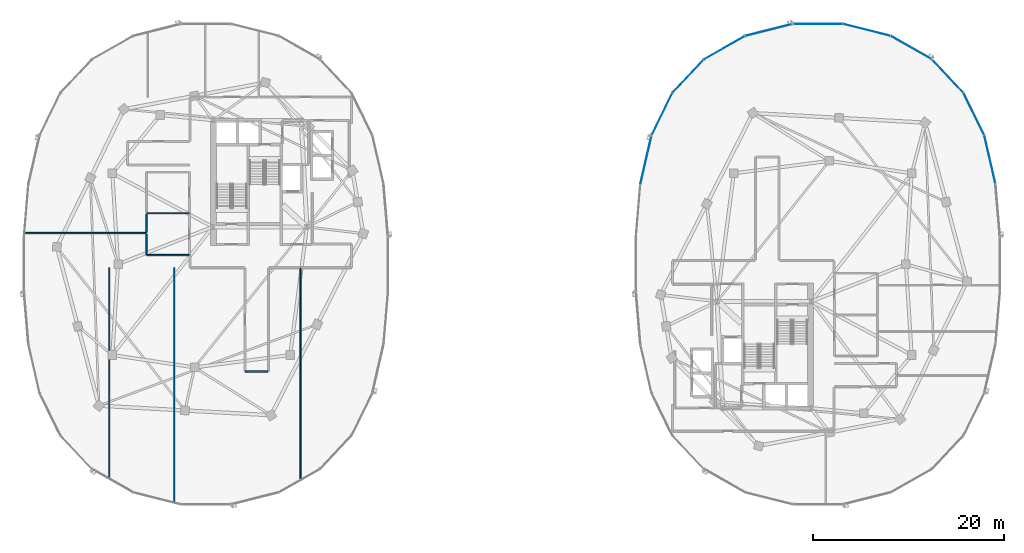
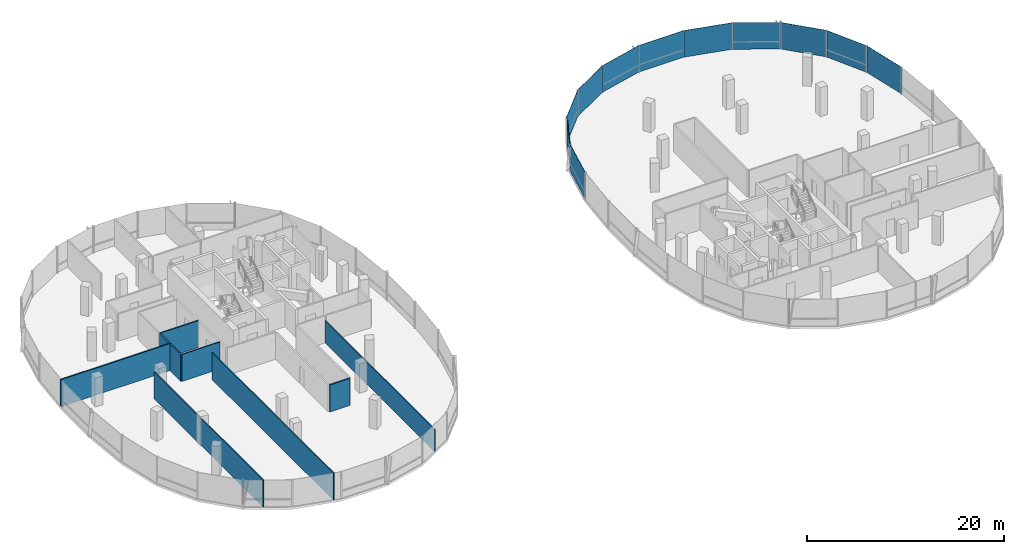
# One storey, part 14 of 25: 11 plates, 9 walls, 2 elements without a shape of their own.
"""IFC4 building model written with IfcOpenShell, lengths in metres."""

from ifc_helpers import new_model, si_unit, direction, frame, frame_2d, origin, origin_2d, place, context, subcontext, project, spatial, rectangle, extrude, material, layer, layer_set, type_object, element, aggregate, save


model = new_model("IFC4")

# Units and contexts
model_context = context("Model", 3, precision=1e-05, world=origin(), true_north=direction((0.0, 1.0)))
body_context = subcontext(model_context, "Body", "Model", "MODEL_VIEW")
ifc_project = project(units=[si_unit("LENGTHUNIT", "METRE"), si_unit("AREAUNIT", "SQUARE_METRE"), si_unit("VOLUMEUNIT", "CUBIC_METRE"), si_unit("PLANEANGLEUNIT", "RADIAN"), si_unit("MASSUNIT", "GRAM", prefix="KILO"), si_unit("THERMODYNAMICTEMPERATUREUNIT", "KELVIN"), si_unit("POWERUNIT", "WATT")], contexts=[model_context])

# Site, building, storey
site_placement = place(None, origin())
site = spatial("IfcSite", under=ifc_project, at=site_placement, CompositionType="ELEMENT")
building_placement = place(site_placement, origin())
building = spatial("IfcBuilding", under=site, at=building_placement, Name="Cundina Bronze Exchange", CompositionType="ELEMENT")
storey_placement = place(building_placement, frame((0.0, 0.0, 191.800048828125)))
storey = spatial("IfcBuildingStorey", under=building, at=storey_placement, Name="L50", CompositionType="ELEMENT", Elevation=191.800048828125)

# Curtain wall, plates
ifc_material_1 = material(Name="Anodised Bronze Aluminium 6063-T6", Category="aluminium")
curtain_wall_type = type_object("IfcCurtainWallType", Name="CWS-UPP-OFF", PredefinedType="NOTDEFINED", material=ifc_material_1)
curtain_wall_1_placement = place(storey_placement, origin())
curtain_wall_1 = element("IfcCurtainWall", 1, at=curtain_wall_1_placement, inside=storey, type_object=curtain_wall_type, Name="L50 CW-05 Curtain Wall Run CWR-L50-E1", PredefinedType="NOTDEFINED")
ifc_material_2 = material(Name="Heat-Strengthened Solar-Control Bronze Safety Glass 28mm", Category="glass")
ifc_layer_1 = layer(ifc_material_2, 0.028076171875, Name="Heat-Strengthened Solar-Control Bronze Safety Glass 28mm", Category="glass")
ifc_layer_set_1 = layer_set([ifc_layer_1], Name="Heat-Strengthened Solar-Control Bronze Safety Glass 28mm")
plate_type_1 = type_object("IfcPlateType", Name="PLT-GLZ-VIS28", PredefinedType="CURTAIN_PANEL", material=ifc_layer_set_1)
plate_1_placement = place(storey_placement, frame((49.98388671875, 10.92578125, 0.02001953125), z_axis=(0.0, 0.0, 1.0), x_axis=(-0.223284141459, 0.974753400698, 0.0)))
plate_1 = element("IfcPlate", 2, at=plate_1_placement, type_object=plate_type_1, Name="CW-05 Glazed Panel 2", PredefinedType="CURTAIN_PANEL", context=body_context, shape_type="SweptSolid", body=[
    extrude(rectangle(XDim=5.167724609375, YDim=0.028076171875, at=origin_2d()), origin(), (0.0, 0.0, 1.0), 3.300048828125),
])
plate_2_placement = place(storey_placement, frame((48.314697265625, 15.686767578125, 0.02001953125), z_axis=(0.0, 0.0, 1.0), x_axis=(-0.440503330345, 0.897750976582, 0.0)))
plate_2 = element("IfcPlate", 3, at=plate_2_placement, type_object=plate_type_1, Name="CW-05 Glazed Panel 3", PredefinedType="CURTAIN_PANEL", context=body_context, shape_type="SweptSolid", body=[
    extrude(rectangle(XDim=4.863525390625, YDim=0.028076171875, at=origin_2d()), origin(), (0.0, 0.0, 1.0), 3.300048828125),
])
plate_3_placement = place(storey_placement, frame((45.5791015625, 19.6552734375, 0.02001953125), z_axis=(0.0, 0.0, 1.0), x_axis=(-0.684343512797, 0.72915976061, 0.0)))
plate_3 = element("IfcPlate", 4, at=plate_3_placement, type_object=plate_type_1, Name="CW-05 Glazed Panel 4", PredefinedType="CURTAIN_PANEL", context=body_context, shape_type="SweptSolid", body=[
    extrude(rectangle(XDim=4.773193359375, YDim=0.028076171875, at=origin_2d()), origin(), (0.0, 0.0, 1.0), 3.300048828125),
])
plate_4_placement = place(storey_placement, frame((37.11279296875, 24.49609375, 0.02001953125), z_axis=(0.0, 0.0, 1.0), x_axis=(-0.969731542251, 0.244173577528, 0.0)))
plate_4 = element("IfcPlate", 5, at=plate_4_placement, type_object=plate_type_1, Name="CW-05 Glazed Panel 6", PredefinedType="CURTAIN_PANEL", context=body_context, shape_type="SweptSolid", body=[
    extrude(rectangle(XDim=5.0908203125, YDim=0.028076171875, at=origin_2d()), origin(), (0.0, 0.0, 1.0), 3.300048828125),
])
plate_5_placement = place(storey_placement, frame((32.0, 25.125, 0.02001953125), z_axis=(0.0, 0.0, 1.0), x_axis=(-1.0, 0.0, 0.0)))
plate_5 = element("IfcPlate", 6, at=plate_5_placement, type_object=plate_type_1, Name="CW-05 Glazed Panel 7", PredefinedType="CURTAIN_PANEL", context=body_context, shape_type="SweptSolid", body=[
    extrude(rectangle(XDim=5.16796875, YDim=0.028076171875, at=origin_2d()), origin(), (0.0, 0.0, 1.0), 3.300048828125),
])

curtain_wall_2_placement = place(storey_placement, origin())
curtain_wall_2 = element("IfcCurtainWall", 7, at=curtain_wall_2_placement, inside=storey, type_object=curtain_wall_type, Name="L50 CW-05 Curtain Wall Run CWR-L50-E2", PredefinedType="NOTDEFINED")
plate_6_placement = place(storey_placement, frame((26.88720703125, 24.49609375, 0.02001953125), z_axis=(0.0, 0.0, 1.0), x_axis=(-0.969731542251, -0.244173577528, 0.0)))
plate_6 = element("IfcPlate", 8, at=plate_6_placement, type_object=plate_type_1, Name="CW-05 Glazed Panel 1", PredefinedType="CURTAIN_PANEL", context=body_context, shape_type="SweptSolid", body=[
    extrude(rectangle(XDim=5.0908203125, YDim=0.028076171875, at=origin_2d()), origin(), (0.0, 0.0, 1.0), 3.300048828125),
])
plate_7_placement = place(storey_placement, frame((22.230712890625, 22.64111328125, 0.02001953125), z_axis=(0.0, 0.0, 1.0), x_axis=(-0.869572506985, -0.493805280547, 0.0)))
plate_7 = element("IfcPlate", 9, at=plate_7_placement, type_object=plate_type_1, Name="CW-05 Glazed Panel 2", PredefinedType="CURTAIN_PANEL", context=body_context, shape_type="SweptSolid", body=[
    extrude(rectangle(XDim=4.907958984375, YDim=0.028076171875, at=origin_2d()), origin(), (0.0, 0.0, 1.0), 3.300048828125),
])
plate_8_placement = place(storey_placement, frame((18.4208984375, 19.6552734375, 0.02001953125), z_axis=(0.0, 0.0, 1.0), x_axis=(-0.684343512797, -0.72915976061, 0.0)))
plate_8 = element("IfcPlate", 10, at=plate_8_placement, type_object=plate_type_1, Name="CW-05 Glazed Panel 3", PredefinedType="CURTAIN_PANEL", context=body_context, shape_type="SweptSolid", body=[
    extrude(rectangle(XDim=4.773193359375, YDim=0.028076171875, at=origin_2d()), origin(), (0.0, 0.0, 1.0), 3.300048828125),
])
plate_9_placement = place(storey_placement, frame((14.01611328125, 10.92578125, 0.02001953125), z_axis=(0.0, 0.0, 1.0), x_axis=(-0.223284141459, -0.974753400698, 0.0)))
plate_9 = element("IfcPlate", 11, at=plate_9_placement, type_object=plate_type_1, Name="CW-05 Glazed Panel 5", PredefinedType="CURTAIN_PANEL", context=body_context, shape_type="SweptSolid", body=[
    extrude(rectangle(XDim=5.167724609375, YDim=0.028076171875, at=origin_2d()), origin(), (0.0, 0.0, 1.0), 3.300048828125),
])

# Plate
ifc_material_3 = material(Name="Dark Bronze Spandrel Glass Panel 32mm", Category="glass")
ifc_layer_2 = layer(ifc_material_3, 0.031982421875, Name="Dark Bronze Spandrel Glass Panel 32mm", Category="glass")
ifc_layer_set_2 = layer_set([ifc_layer_2], Name="Dark Bronze Spandrel Glass Panel 32mm")
plate_type_2 = type_object("IfcPlateType", Name="PLT-SPN-BRZ32", PredefinedType="CURTAIN_PANEL", material=ifc_layer_set_2)
plate_10_placement = place(storey_placement, frame((41.769287109375, 22.64111328125, 0.02001953125), z_axis=(0.0, 0.0, 1.0), x_axis=(-0.869572506985, 0.493805280547, 0.0)))
plate_10 = element("IfcPlate", 12, at=plate_10_placement, type_object=plate_type_2, Name="CW-05 Glazed Panel 5", PredefinedType="CURTAIN_PANEL", context=body_context, shape_type="SweptSolid", body=[
    extrude(rectangle(XDim=4.907958984375, YDim=0.031982421875, at=origin_2d()), origin(), (0.0, 0.0, 1.0), 3.300048828125),
])

aggregate(curtain_wall_1, [plate_1, plate_2, plate_3, plate_10, plate_4, plate_5])

plate_11_placement = place(storey_placement, frame((15.685302734375, 15.686767578125, 0.02001953125), z_axis=(0.0, 0.0, 1.0), x_axis=(-0.440503330345, -0.897750976582, 0.0)))
plate_11 = element("IfcPlate", 13, at=plate_11_placement, type_object=plate_type_2, Name="CW-05 Glazed Panel 4", PredefinedType="CURTAIN_PANEL", context=body_context, shape_type="SweptSolid", body=[
    extrude(rectangle(XDim=4.863525390625, YDim=0.031982421875, at=origin_2d()), origin(), (0.0, 0.0, 1.0), 3.300048828125),
])

aggregate(curtain_wall_2, [plate_6, plate_7, plate_8, plate_11, plate_9])

# Walls
ifc_material_4 = material(Name="Gypsum Fireboard Partition EI120")
ifc_layer_3 = layer(ifc_material_4, 0.179931640625, Name="Gypsum Fireboard Partition EI120")
ifc_layer_set_3 = layer_set([ifc_layer_3], Name="Gypsum Fireboard Partition EI120")
wall_type_1 = type_object("IfcWallType", Name="WL-COR-180", PredefinedType="PARTITIONING", material=ifc_layer_set_3)
wall_1_placement = place(storey_placement, frame((-27.87841796875, -11.219970703125, 0.0), z_axis=(0.0, 0.0, 1.0), x_axis=(1.0, 0.0, 0.0)))
element("IfcWall", 14, at=wall_1_placement, inside=storey, type_object=wall_type_1, Name="L50 Interior Partition 027", PredefinedType="PARTITIONING", context=body_context, shape_type="SweptSolid", body=[
    extrude(rectangle(XDim=2.35693359375, YDim=0.179931640625, at=frame_2d((1.178466796875, 0.0))), origin(), (0.0, 0.0, 1.0), 3.33984375),
])
ifc_material_5 = material(Name="Gypsum Acoustic Partition EI60")
ifc_layer_4 = layer(ifc_material_5, 0.125, Name="Gypsum Acoustic Partition EI60")
ifc_layer_set_4 = layer_set([ifc_layer_4], Name="Gypsum Acoustic Partition EI60")
wall_type_2 = type_object("IfcWallType", Name="WL-OFF-125", PredefinedType="PARTITIONING", material=ifc_layer_set_4)
wall_2_placement = place(storey_placement, frame((-42.1201171875, -22.51953125, 0.0), z_axis=(0.0, 0.0, 1.0), x_axis=(0.0, 1.0, 0.0)))
element("IfcWall", 15, at=wall_2_placement, inside=storey, type_object=wall_type_2, Name="L50 Interior Partition 016", PredefinedType="PARTITIONING", context=body_context, shape_type="SweptSolid", body=[
    extrude(rectangle(XDim=22.1494140625, YDim=0.125, at=frame_2d((11.07470703125, 0.0))), origin(), (0.0, 0.0, 1.0), 3.33984375),
])
wall_3_placement = place(storey_placement, frame((-35.320068359375, -25.01513671875, 0.0), z_axis=(0.0, 0.0, 1.0), x_axis=(0.0, 1.0, 0.0)))
element("IfcWall", 16, at=wall_3_placement, inside=storey, type_object=wall_type_2, Name="L50 Interior Partition 017", PredefinedType="PARTITIONING", context=body_context, shape_type="SweptSolid", body=[
    extrude(rectangle(XDim=24.64501953125, YDim=0.125, at=frame_2d((12.322509765625, 0.0))), origin(), (0.0, 0.0, 1.0), 3.33984375),
])
wall_4_placement = place(storey_placement, frame((-22.1201171875, -22.65576171875, 0.0), z_axis=(0.0, 0.0, 1.0), x_axis=(0.0, 1.0, 0.0)))
element("IfcWall", 17, at=wall_4_placement, inside=storey, type_object=wall_type_2, Name="L50 Interior Partition 018", PredefinedType="PARTITIONING", context=body_context, shape_type="SweptSolid", body=[
    extrude(rectangle(XDim=22.255859375, YDim=0.125, at=frame_2d((11.1279296875, 0.0))), origin(), (0.0, 0.0, 1.0), 2.723876953125),
])
ifc_layer_5 = layer(ifc_material_5, 0.14990234375, Name="Gypsum Acoustic Partition EI60")
ifc_layer_set_5 = layer_set([ifc_layer_5], Name="Gypsum Acoustic Partition EI60")
wall_type_3 = type_object("IfcWallType", Name="WL-TEN-150", PredefinedType="PARTITIONING", material=ifc_layer_set_5)
wall_5_placement = place(storey_placement, frame((-51.065673828125, 3.239990234375, 0.0), z_axis=(0.0, 0.0, 1.0), x_axis=(1.0, 0.0, 0.0)))
element("IfcWall", 18, at=wall_5_placement, inside=storey, type_object=wall_type_3, Name="L50 Interior Partition 019", PredefinedType="PARTITIONING", context=body_context, shape_type="SweptSolid", body=[
    extrude(rectangle(XDim=12.795654296875, YDim=0.14990234375, at=frame_2d((6.39794921875, 0.0))), origin(), (0.0, 0.0, 1.0), 3.33984375),
])
ifc_material_6 = material(Name="Moisture-Resistant Masonry Block Grade M15", Category="masonry")
ifc_layer_6 = layer(ifc_material_6, 0.139892578125, Name="Moisture-Resistant Masonry Block Grade M15", Category="masonry")
ifc_layer_set_6 = layer_set([ifc_layer_6], Name="Moisture-Resistant Masonry Block Grade M15")
wall_type_4 = type_object("IfcWallType", Name="WL-WET-140", PredefinedType="PARTITIONING", material=ifc_layer_set_6)
wall_6_placement = place(storey_placement, frame((-38.239990234375, 0.969970703125, 0.0), z_axis=(0.0, 0.0, 1.0), x_axis=(0.0, 1.0, 0.0)))
element("IfcWall", 19, at=wall_6_placement, inside=storey, type_object=wall_type_4, Name="L50 Interior Partition 008", PredefinedType="PARTITIONING", context=body_context, shape_type="SweptSolid", body=[
    extrude(rectangle(XDim=2.18505859375, YDim=0.139892578125, at=frame_2d((1.092529296875, 0.0))), origin(), (0.0, 0.0, 1.0), 3.33984375),
])
wall_7_placement = place(storey_placement, frame((-38.239990234375, 3.324951171875, 0.0), z_axis=(0.0, 0.0, 1.0), x_axis=(0.0, 1.0, 0.0)))
element("IfcWall", 20, at=wall_7_placement, inside=storey, type_object=wall_type_4, Name="L50 Interior Partition 009", PredefinedType="PARTITIONING", context=body_context, shape_type="SweptSolid", body=[
    extrude(rectangle(XDim=1.920166015625, YDim=0.139892578125, at=frame_2d((0.9599609375, 0.0))), origin(), (0.0, 0.0, 1.0), 3.33984375),
])
for number, where, z_axis, x_axis, name in (
    (21, (-38.219970703125, 0.949951171875, 0.0), (0.0, 0.0, 1.0), (1.0, 0.0, 0.0), "L50 Interior Partition 011"),
    (22, (-38.219970703125, 5.330078125, 0.0), (0.0, 0.0, 1.0), (1.0, 0.0, 0.0), "L50 Interior Partition 012"),
):
    element("IfcWall", number, at=place(storey_placement, frame(where, z_axis=z_axis, x_axis=x_axis)), inside=storey, type_object=wall_type_4, Name=name, PredefinedType="PARTITIONING", context=body_context, shape_type="SweptSolid", body=[
        extrude(rectangle(XDim=4.47998046875, YDim=0.139892578125, at=frame_2d((2.239990234375, 0.0))), origin(), (0.0, 0.0, 1.0), 3.33984375),
    ])

save(model, "model.ifc")
